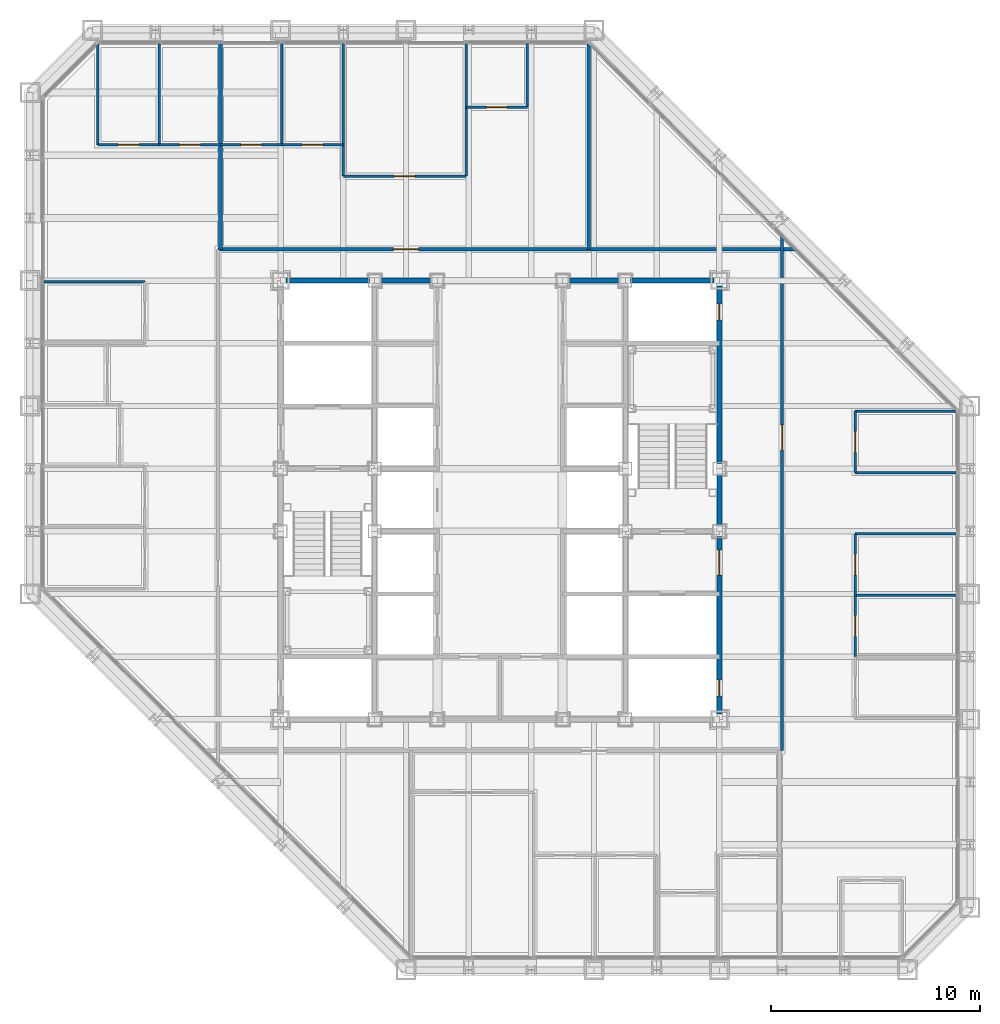
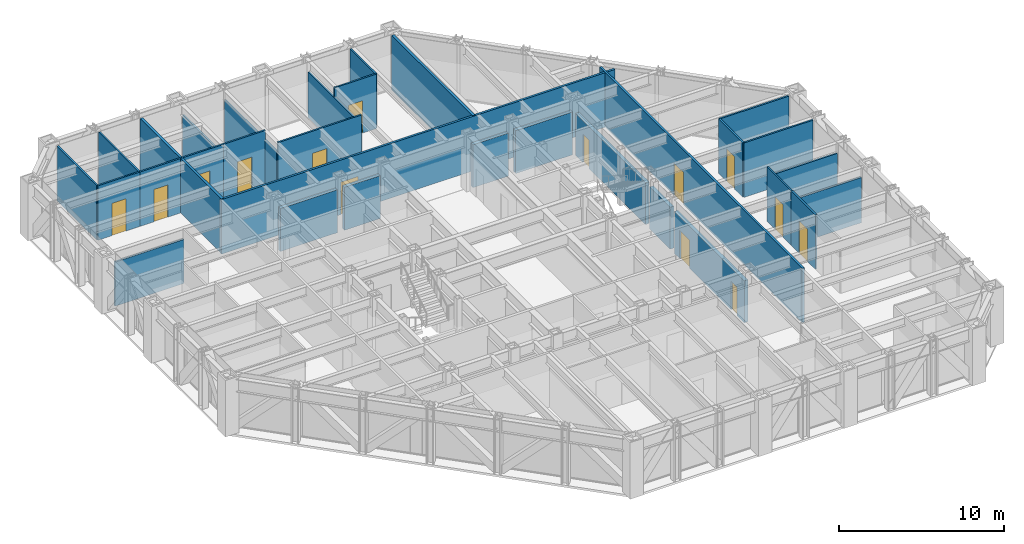
# One storey, part 12 of 16: 31 walls, 14 doors, 14 openings.
"""IFC4 building model written with IfcOpenShell, lengths in metres."""

from ifc_helpers import new_model, si_unit, direction, frame, frame_2d, origin, place, context, subcontext, project, spatial, rectangle, extrude, material, layer, layer_set, type_object, element, fill, save


model = new_model("IFC4")

# Units and contexts
model_context = context("Model", 3, precision=1e-05, world=origin(), true_north=direction((0.0, 1.0)))
body_context = subcontext(model_context, "Body", "Model", "MODEL_VIEW")
ifc_project = project(units=[si_unit("LENGTHUNIT", "METRE"), si_unit("AREAUNIT", "SQUARE_METRE"), si_unit("VOLUMEUNIT", "CUBIC_METRE"), si_unit("PLANEANGLEUNIT", "RADIAN"), si_unit("MASSUNIT", "GRAM", prefix="KILO")], contexts=[model_context])

# Site, building, storey
site_placement = place(None, origin())
site = spatial("IfcSite", under=ifc_project, at=site_placement, CompositionType="ELEMENT")
building_placement = place(site_placement, origin())
building = spatial("IfcBuilding", under=site, at=building_placement, Name="Chuquiago Exchange Tower", CompositionType="ELEMENT")
storey_placement = place(building_placement, frame((0.0, 0.0, 148.800048828125)))
storey = spatial("IfcBuildingStorey", under=building, at=storey_placement, Name="L32", CompositionType="ELEMENT", Elevation=148.800048828125)

# Walls
ifc_material_1 = material(Name="Concrete masonry, fully grouted", Category="masonry")
ifc_layer_1 = layer(ifc_material_1, 0.25)
ifc_layer_set_1 = layer_set([ifc_layer_1], Name="W1 core wall 250")
wall_type_1 = type_object("IfcWallType", Name="W1 core wall 250", PredefinedType="SOLIDWALL", material=ifc_layer_set_1)
wall_1_placement = place(storey_placement, frame((12.25, 33.0, 0.0), z_axis=(0.0, 0.0, 1.0), x_axis=(1.0, 0.0, 0.0)))
element("IfcWall", 1, at=wall_1_placement, inside=storey, type_object=wall_type_1, Name="CW-L32-11-0", PredefinedType="SOLIDWALL", context=body_context, shape_type="SweptSolid", body=[
    extrude(rectangle(XDim=4.0, YDim=0.25, at=frame_2d((2.0, 0.0))), origin(), (0.0, 0.0, 1.0), 3.181396484375),
])
for number, where, z_axis, x_axis, name in (
    (2, (16.75, 33.0, 0.0), (0.0, 0.0, 1.0), (1.0, 0.0, 0.0), "CW-L32-11-1"),
    (3, (25.75, 33.0, 0.0), (0.0, 0.0, 1.0), (1.0, 0.0, 0.0), "CW-L32-12-0"),
):
    element("IfcWall", number, at=place(storey_placement, frame(where, z_axis=z_axis, x_axis=x_axis)), inside=storey, type_object=wall_type_1, Name=name, PredefinedType="SOLIDWALL", context=body_context, shape_type="SweptSolid", body=[
        extrude(rectangle(XDim=2.5, YDim=0.25, at=frame_2d((1.25, 0.0))), origin(), (0.0, 0.0, 1.0), 3.181396484375),
    ])
wall_2_placement = place(storey_placement, frame((28.75, 33.0, 0.0), z_axis=(0.0, 0.0, 1.0), x_axis=(1.0, 0.0, 0.0)))
element("IfcWall", 4, at=wall_2_placement, inside=storey, type_object=wall_type_1, Name="CW-L32-12-1", PredefinedType="SOLIDWALL", context=body_context, shape_type="SweptSolid", body=[
    extrude(rectangle(XDim=4.0, YDim=0.25, at=frame_2d((2.0, 0.0))), origin(), (0.0, 0.0, 1.0), 3.181396484375),
])

# Wall, openings, doors
wall_3_placement = place(storey_placement, frame((33.0, 12.25, 0.0), z_axis=(0.0, 0.0, 1.0), x_axis=(0.0, 1.0, 0.0)))
wall_3 = element("IfcWall", 5, at=wall_3_placement, inside=storey, type_object=wall_type_1, Name="CW-L32-25-0", PredefinedType="SOLIDWALL", context=body_context, shape_type="SweptSolid", body=[
    extrude(rectangle(XDim=8.5, YDim=0.25, at=frame_2d((4.25, 0.0))), origin(), (0.0, 0.0, 1.0), 3.11279296875),
])
opening_1_placement = place(wall_3_placement, frame((6.64990234375, 0.0, 0.0)))
opening_1 = element("IfcOpeningElement", 6, at=opening_1_placement, cuts=wall_3, Name="Opening L32-004", PredefinedType="OPENING", context=body_context, shape_type="SweptSolid", body=[
    extrude(rectangle(XDim=1.199951171875, YDim=2.10009765625, at=frame_2d((0.60009765625, 1.050048828125))), frame((0.0, 0.135009765625, 0.0), z_axis=(0.0, -1.0, 0.0), x_axis=(1.0, 0.0, 0.0)), (0.0, 0.0, 1.0), 0.27001953125),
])
opening_2_placement = place(wall_3_placement, frame((0.875, 0.0, 0.0)))
opening_2 = element("IfcOpeningElement", 7, at=opening_2_placement, cuts=wall_3, Name="Opening L32-009", PredefinedType="OPENING", context=body_context, shape_type="SweptSolid", body=[
    extrude(rectangle(XDim=0.75, YDim=2.10009765625, at=frame_2d((0.375, 1.050048828125))), frame((0.0, 0.135009765625, 0.0), z_axis=(0.0, -1.0, 0.0), x_axis=(1.0, 0.0, 0.0)), (0.0, 0.0, 1.0), 0.27001953125),
])
ifc_material_2 = material(Name="Steel door, painted", Category="steel")
door_type_1 = type_object("IfcDoorType", Name="D5 firefighting lobby door 1200x2100", OperationType="SINGLE_SWING_LEFT", PredefinedType="DOOR", material=ifc_material_2)
door_1_placement = place(opening_1_placement, origin())
door_1 = element("IfcDoor", 8, at=door_1_placement, inside=storey, type_object=door_type_1, Name="Firefighting lobby 2 door", OperationType="SINGLE_SWING_RIGHT", OverallHeight=2.10009765625, OverallWidth=1.199951171875, PredefinedType="DOOR", context=body_context, shape_type="SweptSolid", body=[
    extrude(rectangle(XDim=1.199951171875, YDim=2.10009765625, at=frame_2d((0.60009765625, 1.050048828125))), frame((0.0, 0.02490234375, 0.0), z_axis=(0.0, -1.0, 0.0), x_axis=(1.0, 0.0, 0.0)), (0.0, 0.0, 1.0), 0.050048828125),
])
fill(opening_1, door_1)
ifc_material_3 = material(Name="Steel door, painted", Category="steel")
door_type_2 = type_object("IfcDoorType", Name="D6 riser access door 750x2100", OperationType="SINGLE_SWING_LEFT", PredefinedType="DOOR", material=ifc_material_3)
door_2_placement = place(opening_2_placement, frame((0.75, 0.0, 0.0), z_axis=(0.0, 0.0, 1.0), x_axis=(-1.0, 0.0, 0.0)))
door_2 = element("IfcDoor", 9, at=door_2_placement, inside=storey, type_object=door_type_2, Name="Riser RE1 door", OperationType="SINGLE_SWING_RIGHT", OverallHeight=2.10009765625, OverallWidth=0.75, PredefinedType="DOOR", context=body_context, shape_type="SweptSolid", body=[
    extrude(rectangle(XDim=0.75, YDim=2.10009765625, at=frame_2d((0.375, 1.050048828125))), frame((0.0, 0.02490234375, 0.0), z_axis=(0.0, -1.0, 0.0), x_axis=(1.0, 0.0, 0.0)), (0.0, 0.0, 1.0), 0.050048828125),
])
fill(opening_2, door_2)

# Wall
wall_4_placement = place(storey_placement, frame((33.0, 21.25, 0.0), z_axis=(0.0, 0.0, 1.0), x_axis=(0.0, 1.0, 0.0)))
element("IfcWall", 10, at=wall_4_placement, inside=storey, type_object=wall_type_1, Name="CW-L32-25-1", PredefinedType="SOLIDWALL", context=body_context, shape_type="SweptSolid", body=[
    extrude(rectangle(XDim=2.5, YDim=0.25, at=frame_2d((1.25, 0.0))), origin(), (0.0, 0.0, 1.0), 3.11279296875),
])

# Wall, opening, door
wall_5_placement = place(storey_placement, frame((33.0, 24.25, 0.0), z_axis=(0.0, 0.0, 1.0), x_axis=(0.0, 1.0, 0.0)))
wall_5 = element("IfcWall", 11, at=wall_5_placement, inside=storey, type_object=wall_type_1, Name="CW-L32-25-2", PredefinedType="SOLIDWALL", context=body_context, shape_type="SweptSolid", body=[
    extrude(rectangle(XDim=8.5, YDim=0.25, at=frame_2d((4.25, 0.0))), origin(), (0.0, 0.0, 1.0), 3.11279296875),
])
opening_3_placement = place(wall_5_placement, frame((6.875, 0.0, 0.0)))
opening_3 = element("IfcOpeningElement", 12, at=opening_3_placement, cuts=wall_5, Name="Opening L32-010", PredefinedType="OPENING", context=body_context, shape_type="SweptSolid", body=[
    extrude(rectangle(XDim=0.75, YDim=2.10009765625, at=frame_2d((0.375, 1.050048828125))), frame((0.0, 0.135009765625, 0.0), z_axis=(0.0, -1.0, 0.0), x_axis=(1.0, 0.0, 0.0)), (0.0, 0.0, 1.0), 0.27001953125),
])
door_3_placement = place(opening_3_placement, frame((0.75, 0.0, 0.0), z_axis=(0.0, 0.0, 1.0), x_axis=(-1.0, 0.0, 0.0)))
door_3 = element("IfcDoor", 13, at=door_3_placement, inside=storey, type_object=door_type_2, Name="Riser RE2 door", OperationType="SINGLE_SWING_LEFT", OverallHeight=2.10009765625, OverallWidth=0.75, PredefinedType="DOOR", context=body_context, shape_type="SweptSolid", body=[
    extrude(rectangle(XDim=0.75, YDim=2.10009765625, at=frame_2d((0.375, 1.050048828125))), frame((0.0, 0.02490234375, 0.0), z_axis=(0.0, -1.0, 0.0), x_axis=(1.0, 0.0, 0.0)), (0.0, 0.0, 1.0), 0.050048828125),
])
fill(opening_3, door_3)

ifc_material_4 = material(Name="Gypsum board on steel studs, acoustic insulation", Category="steel")
ifc_layer_2 = layer(ifc_material_4, 0.14990234375)
ifc_layer_set_2 = layer_set([ifc_layer_2], Name="W11 corridor wall 150")
wall_type_2 = type_object("IfcWallType", Name="W11 corridor wall 150", PredefinedType="PARTITIONING", material=ifc_layer_set_2)
wall_6_placement = place(storey_placement, frame((9.0, 34.5, 0.0), z_axis=(0.0, 0.0, 1.0), x_axis=(1.0, 0.0, 0.0)))
wall_6 = element("IfcWall", 14, at=wall_6_placement, inside=storey, type_object=wall_type_2, Name="PW-L32-CN", PredefinedType="PARTITIONING", context=body_context, shape_type="SweptSolid", body=[
    extrude(rectangle(XDim=27.614501953125, YDim=0.14990234375, at=frame_2d((13.80712890625, 0.0))), origin(), (0.0, 0.0, 1.0), 4.0400390625),
])
opening_4_placement = place(wall_6_placement, frame((8.39990234375, 0.0, 0.0)))
opening_4 = element("IfcOpeningElement", 15, at=opening_4_placement, cuts=wall_6, Name="Opening L32-043", PredefinedType="OPENING", context=body_context, shape_type="SweptSolid", body=[
    extrude(rectangle(XDim=1.199951171875, YDim=2.39990234375, at=frame_2d((0.60009765625, 1.199951171875))), frame((0.0, 0.0849609375, 0.0), z_axis=(0.0, -1.0, 0.0), x_axis=(1.0, 0.0, 0.0)), (0.0, 0.0, 1.0), 0.169921875),
])
ifc_material_5 = material(Name="Timber door, laminate faced", Category="wood")
door_type_3 = type_object("IfcDoorType", Name="D13 suite entrance door 1200x2400", OperationType="SINGLE_SWING_LEFT", PredefinedType="DOOR", material=ifc_material_5)
door_4_placement = place(opening_4_placement, origin())
door_4 = element("IfcDoor", 16, at=door_4_placement, inside=storey, type_object=door_type_3, Name="North suite entrance door", OperationType="SINGLE_SWING_LEFT", OverallHeight=2.39990234375, OverallWidth=1.199951171875, PredefinedType="DOOR", context=body_context, shape_type="SweptSolid", body=[
    extrude(rectangle(XDim=1.199951171875, YDim=2.39990234375, at=frame_2d((0.60009765625, 1.199951171875))), frame((0.0, 0.02490234375, 0.0), z_axis=(0.0, -1.0, 0.0), x_axis=(1.0, 0.0, 0.0)), (0.0, 0.0, 1.0), 0.050048828125),
])
fill(opening_4, door_4)

wall_7_placement = place(storey_placement, frame((36.0, 10.5, 0.0), z_axis=(0.0, 0.0, 1.0), x_axis=(0.0, 1.0, 0.0)))
wall_7 = element("IfcWall", 17, at=wall_7_placement, inside=storey, type_object=wall_type_2, Name="PW-L32-CE", PredefinedType="PARTITIONING", context=body_context, shape_type="SweptSolid", body=[
    extrude(rectangle(XDim=24.614501953125, YDim=0.14990234375, at=frame_2d((12.30712890625, 0.0))), origin(), (0.0, 0.0, 1.0), 4.0400390625),
])
opening_5_placement = place(wall_7_placement, frame((14.39990234375, 0.0, 0.0)))
opening_5 = element("IfcOpeningElement", 18, at=opening_5_placement, cuts=wall_7, Name="Opening L32-045", PredefinedType="OPENING", context=body_context, shape_type="SweptSolid", body=[
    extrude(rectangle(XDim=1.199951171875, YDim=2.39990234375, at=frame_2d((0.60009765625, 1.199951171875))), frame((0.0, 0.0849609375, 0.0), z_axis=(0.0, -1.0, 0.0), x_axis=(1.0, 0.0, 0.0)), (0.0, 0.0, 1.0), 0.169921875),
])
door_5_placement = place(opening_5_placement, frame((1.199951171875, 0.0, 0.0), z_axis=(0.0, 0.0, 1.0), x_axis=(-1.0, 0.0, 0.0)))
door_5 = element("IfcDoor", 19, at=door_5_placement, inside=storey, type_object=door_type_3, Name="East suite entrance door", OperationType="SINGLE_SWING_LEFT", OverallHeight=2.39990234375, OverallWidth=1.199951171875, PredefinedType="DOOR", context=body_context, shape_type="SweptSolid", body=[
    extrude(rectangle(XDim=1.199951171875, YDim=2.39990234375, at=frame_2d((0.60009765625, 1.199951171875))), frame((0.0, 0.02490234375, 0.0), z_axis=(0.0, -1.0, 0.0), x_axis=(1.0, 0.0, 0.0)), (0.0, 0.0, 1.0), 0.050048828125),
])
fill(opening_5, door_5)

# Walls
ifc_material_6 = material(Name="Gypsum board on twin steel studs, acoustic insulation", Category="steel")
ifc_layer_3 = layer(ifc_material_6, 0.175048828125)
ifc_layer_set_3 = layer_set([ifc_layer_3], Name="W12 tenant demising wall 175")
wall_type_3 = type_object("IfcWallType", Name="W12 tenant demising wall 175", PredefinedType="PARTITIONING", material=ifc_layer_set_3)
wall_8_placement = place(storey_placement, frame((9.124267578125, 44.347412109375, 0.0), z_axis=(0.0, 0.0, 1.0), x_axis=(0.0, -1.0, 0.0)))
element("IfcWall", 20, at=wall_8_placement, inside=storey, type_object=wall_type_3, Name="PW-L32-DN00912", PredefinedType="PARTITIONING", context=body_context, shape_type="SweptSolid", body=[
    extrude(rectangle(XDim=9.847412109375, YDim=0.175048828125, at=frame_2d((4.923828125, 0.0))), origin(), (0.0, 0.0, 1.0), 4.0400390625),
])
wall_9_placement = place(storey_placement, frame((26.75146484375, 44.333984375, 0.0), z_axis=(0.0, 0.0, 1.0), x_axis=(0.0, -1.0, 0.0)))
element("IfcWall", 21, at=wall_9_placement, inside=storey, type_object=wall_type_3, Name="PW-L32-DN02675", PredefinedType="PARTITIONING", context=body_context, shape_type="SweptSolid", body=[
    extrude(rectangle(XDim=9.833984375, YDim=0.175048828125, at=frame_2d((4.9169921875, 0.0))), origin(), (0.0, 0.0, 1.0), 4.0400390625),
])
ifc_material_7 = material(Name="Gypsum board on steel studs", Category="steel")
ifc_layer_4 = layer(ifc_material_7, 0.1201171875)
ifc_layer_set_4 = layer_set([ifc_layer_4], Name="W4 partition 120")
wall_type_4 = type_object("IfcWallType", Name="W4 partition 120", PredefinedType="PARTITIONING", material=ifc_layer_set_4)
for number, where, z_axis, x_axis, name in (
    (22, (44.347412109375, 17.93798828125, 0.0), (0.0, 0.0, 1.0), (-1.0, 0.0, 0.0), "PW-L32-E01794"),
    (23, (44.347412109375, 20.875732421875, 0.0), (0.0, 0.0, 1.0), (-1.0, 0.0, 0.0), "PW-L32-E02088"),
):
    element("IfcWall", number, at=place(storey_placement, frame(where, z_axis=z_axis, x_axis=x_axis)), inside=storey, type_object=wall_type_4, Name=name, PredefinedType="PARTITIONING", context=body_context, shape_type="SweptSolid", body=[
        extrude(rectangle(XDim=4.847412109375, YDim=0.1201171875, at=frame_2d((2.423828125, 0.0))), origin(), (0.0, 0.0, 1.0), 3.356689453125),
    ])
wall_10_placement = place(storey_placement, frame((44.347412109375, 23.813720703125, 0.0), z_axis=(0.0, 0.0, 1.0), x_axis=(-1.0, 0.0, 0.0)))
element("IfcWall", 24, at=wall_10_placement, inside=storey, type_object=wall_type_4, Name="PW-L32-E02381", PredefinedType="PARTITIONING", context=body_context, shape_type="SweptSolid", body=[
    extrude(rectangle(XDim=4.847412109375, YDim=0.1201171875, at=frame_2d((2.423828125, 0.0))), origin(), (0.0, 0.0, 1.0), 4.0400390625),
])
wall_11_placement = place(storey_placement, frame((44.333984375, 26.75146484375, 0.0), z_axis=(0.0, 0.0, 1.0), x_axis=(-1.0, 0.0, 0.0)))
element("IfcWall", 25, at=wall_11_placement, inside=storey, type_object=wall_type_4, Name="PW-L32-E02675", PredefinedType="PARTITIONING", context=body_context, shape_type="SweptSolid", body=[
    extrude(rectangle(XDim=4.833984375, YDim=0.1201171875, at=frame_2d((2.4169921875, 0.0))), origin(), (0.0, 0.0, 1.0), 4.0400390625),
])

# Wall, opening, door
wall_12_placement = place(storey_placement, frame((39.5, 15.0, 0.0), z_axis=(0.0, 0.0, 1.0), x_axis=(0.0, 1.0, 0.0)))
wall_12 = element("IfcWall", 26, at=wall_12_placement, inside=storey, type_object=wall_type_4, Name="PW-L32-EF01500", PredefinedType="PARTITIONING", context=body_context, shape_type="SweptSolid", body=[
    extrude(rectangle(XDim=2.93798828125, YDim=0.1201171875, at=frame_2d((1.468994140625, 0.0))), origin(), (0.0, 0.0, 1.0), 4.0400390625),
])
opening_6_placement = place(wall_12_placement, frame((0.968994140625, 0.0, 0.0)))
opening_6 = element("IfcOpeningElement", 27, at=opening_6_placement, cuts=wall_12, Name="Opening L32-028", PredefinedType="OPENING", context=body_context, shape_type="SweptSolid", body=[
    extrude(rectangle(XDim=1.0, YDim=2.39990234375, at=frame_2d((0.5, 1.199951171875))), frame((0.0, 0.070068359375, 0.0), z_axis=(0.0, -1.0, 0.0), x_axis=(1.0, 0.0, 0.0)), (0.0, 0.0, 1.0), 0.14013671875),
])
ifc_material_8 = material(Name="Timber door, laminate faced", Category="wood")
door_type_4 = type_object("IfcDoorType", Name="D9 room door 1000x2400", OperationType="SINGLE_SWING_LEFT", PredefinedType="DOOR", material=ifc_material_8)
door_6_placement = place(opening_6_placement, frame((1.0, 0.0, 0.0), z_axis=(0.0, 0.0, 1.0), x_axis=(-1.0, 0.0, 0.0)))
door_6 = element("IfcDoor", 28, at=door_6_placement, inside=storey, type_object=door_type_4, Name="Office door", OperationType="SINGLE_SWING_RIGHT", OverallHeight=2.39990234375, OverallWidth=1.0, PredefinedType="DOOR", context=body_context, shape_type="SweptSolid", body=[
    extrude(rectangle(XDim=1.0, YDim=2.39990234375, at=frame_2d((0.5, 1.199951171875))), frame((0.0, 0.02490234375, 0.0), z_axis=(0.0, -1.0, 0.0), x_axis=(1.0, 0.0, 0.0)), (0.0, 0.0, 1.0), 0.050048828125),
])
fill(opening_6, door_6)

wall_13_placement = place(storey_placement, frame((39.5, 17.93798828125, 0.0), z_axis=(0.0, 0.0, 1.0), x_axis=(0.0, 1.0, 0.0)))
wall_13 = element("IfcWall", 29, at=wall_13_placement, inside=storey, type_object=wall_type_4, Name="PW-L32-EF01794", PredefinedType="PARTITIONING", context=body_context, shape_type="SweptSolid", body=[
    extrude(rectangle(XDim=2.937744140625, YDim=0.1201171875, at=frame_2d((1.46875, 0.0))), origin(), (0.0, 0.0, 1.0), 4.0400390625),
])
opening_7_placement = place(wall_13_placement, frame((0.968994140625, 0.0, 0.0)))
opening_7 = element("IfcOpeningElement", 30, at=opening_7_placement, cuts=wall_13, Name="Opening L32-029", PredefinedType="OPENING", context=body_context, shape_type="SweptSolid", body=[
    extrude(rectangle(XDim=1.0, YDim=2.39990234375, at=frame_2d((0.5, 1.199951171875))), frame((0.0, 0.070068359375, 0.0), z_axis=(0.0, -1.0, 0.0), x_axis=(1.0, 0.0, 0.0)), (0.0, 0.0, 1.0), 0.14013671875),
])
ifc_material_9 = material(Name="Timber frame door, full height glazed panel", Category="wood")
door_type_5 = type_object("IfcDoorType", Name="D14 glazed meeting room door 1000x2400", OperationType="SINGLE_SWING_LEFT", PredefinedType="DOOR", material=ifc_material_9)
door_7_placement = place(opening_7_placement, frame((1.0, 0.0, 0.0), z_axis=(0.0, 0.0, 1.0), x_axis=(-1.0, 0.0, 0.0)))
door_7 = element("IfcDoor", 31, at=door_7_placement, inside=storey, type_object=door_type_5, Name="Meeting room door", OperationType="SINGLE_SWING_LEFT", OverallHeight=2.39990234375, OverallWidth=1.0, PredefinedType="DOOR", context=body_context, shape_type="SweptSolid", body=[
    extrude(rectangle(XDim=1.0, YDim=2.39990234375, at=frame_2d((0.5, 1.199951171875))), frame((0.0, 0.02490234375, 0.0), z_axis=(0.0, -1.0, 0.0), x_axis=(1.0, 0.0, 0.0)), (0.0, 0.0, 1.0), 0.050048828125),
])
fill(opening_7, door_7)

wall_14_placement = place(storey_placement, frame((39.5, 23.813720703125, 0.0), z_axis=(0.0, 0.0, 1.0), x_axis=(0.0, 1.0, 0.0)))
wall_14 = element("IfcWall", 32, at=wall_14_placement, inside=storey, type_object=wall_type_4, Name="PW-L32-EF02381", PredefinedType="PARTITIONING", context=body_context, shape_type="SweptSolid", body=[
    extrude(rectangle(XDim=2.937744140625, YDim=0.1201171875, at=frame_2d((1.46875, 0.0))), origin(), (0.0, 0.0, 1.0), 4.0400390625),
])
opening_8_placement = place(wall_14_placement, frame((0.968994140625, 0.0, 0.0)))
opening_8 = element("IfcOpeningElement", 33, at=opening_8_placement, cuts=wall_14, Name="Opening L32-030", PredefinedType="OPENING", context=body_context, shape_type="SweptSolid", body=[
    extrude(rectangle(XDim=1.0, YDim=2.39990234375, at=frame_2d((0.5, 1.199951171875))), frame((0.0, 0.070068359375, 0.0), z_axis=(0.0, -1.0, 0.0), x_axis=(1.0, 0.0, 0.0)), (0.0, 0.0, 1.0), 0.14013671875),
])
door_8_placement = place(opening_8_placement, frame((1.0, 0.0, 0.0), z_axis=(0.0, 0.0, 1.0), x_axis=(-1.0, 0.0, 0.0)))
door_8 = element("IfcDoor", 34, at=door_8_placement, inside=storey, type_object=door_type_4, Name="Office door", OperationType="SINGLE_SWING_RIGHT", OverallHeight=2.39990234375, OverallWidth=1.0, PredefinedType="DOOR", context=body_context, shape_type="SweptSolid", body=[
    extrude(rectangle(XDim=1.0, YDim=2.39990234375, at=frame_2d((0.5, 1.199951171875))), frame((0.0, 0.02490234375, 0.0), z_axis=(0.0, -1.0, 0.0), x_axis=(1.0, 0.0, 0.0)), (0.0, 0.0, 1.0), 0.050048828125),
])
fill(opening_8, door_8)

# Walls
wall_15_placement = place(storey_placement, frame((3.24853515625, 44.333984375, 0.0), z_axis=(0.0, 0.0, 1.0), x_axis=(0.0, -1.0, 0.0)))
element("IfcWall", 35, at=wall_15_placement, inside=storey, type_object=wall_type_4, Name="PW-L32-N00325", PredefinedType="PARTITIONING", context=body_context, shape_type="SweptSolid", body=[
    extrude(rectangle(XDim=4.833984375, YDim=0.1201171875, at=frame_2d((2.4169921875, 0.0))), origin(), (0.0, 0.0, 1.0), 4.0400390625),
])
wall_16_placement = place(storey_placement, frame((6.186279296875, 44.347412109375, 0.0), z_axis=(0.0, 0.0, 1.0), x_axis=(0.0, -1.0, 0.0)))
element("IfcWall", 36, at=wall_16_placement, inside=storey, type_object=wall_type_4, Name="PW-L32-N00619", PredefinedType="PARTITIONING", context=body_context, shape_type="SweptSolid", body=[
    extrude(rectangle(XDim=4.847412109375, YDim=0.1201171875, at=frame_2d((2.423828125, 0.0))), origin(), (0.0, 0.0, 1.0), 4.0400390625),
])
wall_17_placement = place(storey_placement, frame((12.06201171875, 44.347412109375, 0.0), z_axis=(0.0, 0.0, 1.0), x_axis=(0.0, -1.0, 0.0)))
element("IfcWall", 37, at=wall_17_placement, inside=storey, type_object=wall_type_4, Name="PW-L32-N01206", PredefinedType="PARTITIONING", context=body_context, shape_type="SweptSolid", body=[
    extrude(rectangle(XDim=4.847412109375, YDim=0.1201171875, at=frame_2d((2.423828125, 0.0))), origin(), (0.0, 0.0, 1.0), 3.270263671875),
])
for number, where, z_axis, x_axis, name in (
    (38, (15.0, 44.347412109375, 0.0), (0.0, 0.0, 1.0), (0.0, -1.0, 0.0), "PW-L32-N01500"),
    (39, (20.875732421875, 44.347412109375, 0.0), (0.0, 0.0, 1.0), (0.0, -1.0, 0.0), "PW-L32-N02088"),
):
    element("IfcWall", number, at=place(storey_placement, frame(where, z_axis=z_axis, x_axis=x_axis)), inside=storey, type_object=wall_type_4, Name=name, PredefinedType="PARTITIONING", context=body_context, shape_type="SweptSolid", body=[
        extrude(rectangle(XDim=6.347412109375, YDim=0.1201171875, at=frame_2d((3.173828125, 0.0))), origin(), (0.0, 0.0, 1.0), 3.356689453125),
    ])
wall_18_placement = place(storey_placement, frame((23.813720703125, 44.347412109375, 0.0), z_axis=(0.0, 0.0, 1.0), x_axis=(0.0, -1.0, 0.0)))
element("IfcWall", 40, at=wall_18_placement, inside=storey, type_object=wall_type_4, Name="PW-L32-N02381", PredefinedType="PARTITIONING", context=body_context, shape_type="SweptSolid", body=[
    extrude(rectangle(XDim=3.04736328125, YDim=0.1201171875, at=frame_2d((1.523681640625, 0.0))), origin(), (0.0, 0.0, 1.0), 4.0400390625),
])

# Wall, opening, door
wall_19_placement = place(storey_placement, frame((3.24853515625, 39.5, 0.0), z_axis=(0.0, 0.0, 1.0), x_axis=(1.0, 0.0, 0.0)))
wall_19 = element("IfcWall", 41, at=wall_19_placement, inside=storey, type_object=wall_type_4, Name="PW-L32-NF00325", PredefinedType="PARTITIONING", context=body_context, shape_type="SweptSolid", body=[
    extrude(rectangle(XDim=2.937744140625, YDim=0.1201171875, at=frame_2d((1.46875, 0.0))), origin(), (0.0, 0.0, 1.0), 4.0400390625),
])
opening_9_placement = place(wall_19_placement, frame((0.968994140625, 0.0, 0.0)))
opening_9 = element("IfcOpeningElement", 42, at=opening_9_placement, cuts=wall_19, Name="Opening L32-031", PredefinedType="OPENING", context=body_context, shape_type="SweptSolid", body=[
    extrude(rectangle(XDim=1.0, YDim=2.39990234375, at=frame_2d((0.5, 1.199951171875))), frame((0.0, 0.070068359375, 0.0), z_axis=(0.0, -1.0, 0.0), x_axis=(1.0, 0.0, 0.0)), (0.0, 0.0, 1.0), 0.14013671875),
])
door_9_placement = place(opening_9_placement, origin())
door_9 = element("IfcDoor", 43, at=door_9_placement, inside=storey, type_object=door_type_4, Name="Office door", OperationType="SINGLE_SWING_LEFT", OverallHeight=2.39990234375, OverallWidth=1.0, PredefinedType="DOOR", context=body_context, shape_type="SweptSolid", body=[
    extrude(rectangle(XDim=1.0, YDim=2.39990234375, at=frame_2d((0.5, 1.199951171875))), frame((0.0, 0.02490234375, 0.0), z_axis=(0.0, -1.0, 0.0), x_axis=(1.0, 0.0, 0.0)), (0.0, 0.0, 1.0), 0.050048828125),
])
fill(opening_9, door_9)

wall_20_placement = place(storey_placement, frame((6.186279296875, 39.5, 0.0), z_axis=(0.0, 0.0, 1.0), x_axis=(1.0, 0.0, 0.0)))
wall_20 = element("IfcWall", 44, at=wall_20_placement, inside=storey, type_object=wall_type_4, Name="PW-L32-NF00619", PredefinedType="PARTITIONING", context=body_context, shape_type="SweptSolid", body=[
    extrude(rectangle(XDim=2.93798828125, YDim=0.1201171875, at=frame_2d((1.468994140625, 0.0))), origin(), (0.0, 0.0, 1.0), 4.0400390625),
])
opening_10_placement = place(wall_20_placement, frame((0.968994140625, 0.0, 0.0)))
opening_10 = element("IfcOpeningElement", 45, at=opening_10_placement, cuts=wall_20, Name="Opening L32-032", PredefinedType="OPENING", context=body_context, shape_type="SweptSolid", body=[
    extrude(rectangle(XDim=1.0, YDim=2.39990234375, at=frame_2d((0.5, 1.199951171875))), frame((0.0, 0.070068359375, 0.0), z_axis=(0.0, -1.0, 0.0), x_axis=(1.0, 0.0, 0.0)), (0.0, 0.0, 1.0), 0.14013671875),
])
door_10_placement = place(opening_10_placement, origin())
door_10 = element("IfcDoor", 46, at=door_10_placement, inside=storey, type_object=door_type_4, Name="Office door", OperationType="SINGLE_SWING_RIGHT", OverallHeight=2.39990234375, OverallWidth=1.0, PredefinedType="DOOR", context=body_context, shape_type="SweptSolid", body=[
    extrude(rectangle(XDim=1.0, YDim=2.39990234375, at=frame_2d((0.5, 1.199951171875))), frame((0.0, 0.02490234375, 0.0), z_axis=(0.0, -1.0, 0.0), x_axis=(1.0, 0.0, 0.0)), (0.0, 0.0, 1.0), 0.050048828125),
])
fill(opening_10, door_10)

wall_21_placement = place(storey_placement, frame((9.124267578125, 39.5, 0.0), z_axis=(0.0, 0.0, 1.0), x_axis=(1.0, 0.0, 0.0)))
wall_21 = element("IfcWall", 47, at=wall_21_placement, inside=storey, type_object=wall_type_4, Name="PW-L32-NF00912", PredefinedType="PARTITIONING", context=body_context, shape_type="SweptSolid", body=[
    extrude(rectangle(XDim=2.937744140625, YDim=0.1201171875, at=frame_2d((1.46875, 0.0))), origin(), (0.0, 0.0, 1.0), 4.0400390625),
])
opening_11_placement = place(wall_21_placement, frame((0.968994140625, 0.0, 0.0)))
opening_11 = element("IfcOpeningElement", 48, at=opening_11_placement, cuts=wall_21, Name="Opening L32-033", PredefinedType="OPENING", context=body_context, shape_type="SweptSolid", body=[
    extrude(rectangle(XDim=1.0, YDim=2.39990234375, at=frame_2d((0.5, 1.199951171875))), frame((0.0, 0.070068359375, 0.0), z_axis=(0.0, -1.0, 0.0), x_axis=(1.0, 0.0, 0.0)), (0.0, 0.0, 1.0), 0.14013671875),
])
door_11_placement = place(opening_11_placement, origin())
door_11 = element("IfcDoor", 49, at=door_11_placement, inside=storey, type_object=door_type_4, Name="Office door", OperationType="SINGLE_SWING_LEFT", OverallHeight=2.39990234375, OverallWidth=1.0, PredefinedType="DOOR", context=body_context, shape_type="SweptSolid", body=[
    extrude(rectangle(XDim=1.0, YDim=2.39990234375, at=frame_2d((0.5, 1.199951171875))), frame((0.0, 0.02490234375, 0.0), z_axis=(0.0, -1.0, 0.0), x_axis=(1.0, 0.0, 0.0)), (0.0, 0.0, 1.0), 0.050048828125),
])
fill(opening_11, door_11)

wall_22_placement = place(storey_placement, frame((12.06201171875, 39.5, 0.0), z_axis=(0.0, 0.0, 1.0), x_axis=(1.0, 0.0, 0.0)))
wall_22 = element("IfcWall", 50, at=wall_22_placement, inside=storey, type_object=wall_type_4, Name="PW-L32-NF01206", PredefinedType="PARTITIONING", context=body_context, shape_type="SweptSolid", body=[
    extrude(rectangle(XDim=2.93798828125, YDim=0.1201171875, at=frame_2d((1.468994140625, 0.0))), origin(), (0.0, 0.0, 1.0), 4.0400390625),
])
opening_12_placement = place(wall_22_placement, frame((0.968994140625, 0.0, 0.0)))
opening_12 = element("IfcOpeningElement", 51, at=opening_12_placement, cuts=wall_22, Name="Opening L32-034", PredefinedType="OPENING", context=body_context, shape_type="SweptSolid", body=[
    extrude(rectangle(XDim=1.0, YDim=2.39990234375, at=frame_2d((0.5, 1.199951171875))), frame((0.0, 0.070068359375, 0.0), z_axis=(0.0, -1.0, 0.0), x_axis=(1.0, 0.0, 0.0)), (0.0, 0.0, 1.0), 0.14013671875),
])
door_12_placement = place(opening_12_placement, origin())
door_12 = element("IfcDoor", 52, at=door_12_placement, inside=storey, type_object=door_type_4, Name="Office door", OperationType="SINGLE_SWING_RIGHT", OverallHeight=2.39990234375, OverallWidth=1.0, PredefinedType="DOOR", context=body_context, shape_type="SweptSolid", body=[
    extrude(rectangle(XDim=1.0, YDim=2.39990234375, at=frame_2d((0.5, 1.199951171875))), frame((0.0, 0.02490234375, 0.0), z_axis=(0.0, -1.0, 0.0), x_axis=(1.0, 0.0, 0.0)), (0.0, 0.0, 1.0), 0.050048828125),
])
fill(opening_12, door_12)

wall_23_placement = place(storey_placement, frame((15.0, 38.0, 0.0), z_axis=(0.0, 0.0, 1.0), x_axis=(1.0, 0.0, 0.0)))
wall_23 = element("IfcWall", 53, at=wall_23_placement, inside=storey, type_object=wall_type_4, Name="PW-L32-NF01500", PredefinedType="PARTITIONING", context=body_context, shape_type="SweptSolid", body=[
    extrude(rectangle(XDim=5.875732421875, YDim=0.1201171875, at=frame_2d((2.93798828125, 0.0))), origin(), (0.0, 0.0, 1.0), 4.0400390625),
])
opening_13_placement = place(wall_23_placement, frame((2.437744140625, 0.0, 0.0)))
opening_13 = element("IfcOpeningElement", 54, at=opening_13_placement, cuts=wall_23, Name="Opening L32-035", PredefinedType="OPENING", context=body_context, shape_type="SweptSolid", body=[
    extrude(rectangle(XDim=1.0, YDim=2.39990234375, at=frame_2d((0.5, 1.199951171875))), frame((0.0, 0.070068359375, 0.0), z_axis=(0.0, -1.0, 0.0), x_axis=(1.0, 0.0, 0.0)), (0.0, 0.0, 1.0), 0.14013671875),
])
door_13_placement = place(opening_13_placement, origin())
door_13 = element("IfcDoor", 55, at=door_13_placement, inside=storey, type_object=door_type_5, Name="Conference room door", OperationType="SINGLE_SWING_LEFT", OverallHeight=2.39990234375, OverallWidth=1.0, PredefinedType="DOOR", context=body_context, shape_type="SweptSolid", body=[
    extrude(rectangle(XDim=1.0, YDim=2.39990234375, at=frame_2d((0.5, 1.199951171875))), frame((0.0, 0.02490234375, 0.0), z_axis=(0.0, -1.0, 0.0), x_axis=(1.0, 0.0, 0.0)), (0.0, 0.0, 1.0), 0.050048828125),
])
fill(opening_13, door_13)

wall_24_placement = place(storey_placement, frame((20.875732421875, 41.300048828125, 0.0), z_axis=(0.0, 0.0, 1.0), x_axis=(1.0, 0.0, 0.0)))
wall_24 = element("IfcWall", 56, at=wall_24_placement, inside=storey, type_object=wall_type_4, Name="PW-L32-NF02088", PredefinedType="PARTITIONING", context=body_context, shape_type="SweptSolid", body=[
    extrude(rectangle(XDim=2.93798828125, YDim=0.1201171875, at=frame_2d((1.468994140625, 0.0))), origin(), (0.0, 0.0, 1.0), 4.0400390625),
])
opening_14_placement = place(wall_24_placement, frame((0.968994140625, 0.0, 0.0)))
opening_14 = element("IfcOpeningElement", 57, at=opening_14_placement, cuts=wall_24, Name="Opening L32-036", PredefinedType="OPENING", context=body_context, shape_type="SweptSolid", body=[
    extrude(rectangle(XDim=1.0, YDim=2.39990234375, at=frame_2d((0.5, 1.199951171875))), frame((0.0, 0.070068359375, 0.0), z_axis=(0.0, -1.0, 0.0), x_axis=(1.0, 0.0, 0.0)), (0.0, 0.0, 1.0), 0.14013671875),
])
door_14_placement = place(opening_14_placement, origin())
door_14 = element("IfcDoor", 58, at=door_14_placement, inside=storey, type_object=door_type_5, Name="Focus room door", OperationType="SINGLE_SWING_RIGHT", OverallHeight=2.39990234375, OverallWidth=1.0, PredefinedType="DOOR", context=body_context, shape_type="SweptSolid", body=[
    extrude(rectangle(XDim=1.0, YDim=2.39990234375, at=frame_2d((0.5, 1.199951171875))), frame((0.0, 0.02490234375, 0.0), z_axis=(0.0, -1.0, 0.0), x_axis=(1.0, 0.0, 0.0)), (0.0, 0.0, 1.0), 0.050048828125),
])
fill(opening_14, door_14)

# Wall
wall_25_placement = place(storey_placement, frame((0.652587890625, 32.93798828125, 0.0), z_axis=(0.0, 0.0, 1.0), x_axis=(1.0, 0.0, 0.0)))
element("IfcWall", 59, at=wall_25_placement, inside=storey, type_object=wall_type_4, Name="PW-L32-W03294", PredefinedType="PARTITIONING", context=body_context, shape_type="SweptSolid", body=[
    extrude(rectangle(XDim=4.847412109375, YDim=0.1201171875, at=frame_2d((2.423828125, 0.0))), origin(), (0.0, 0.0, 1.0), 3.270263671875),
])

save(model, "model.ifc")
